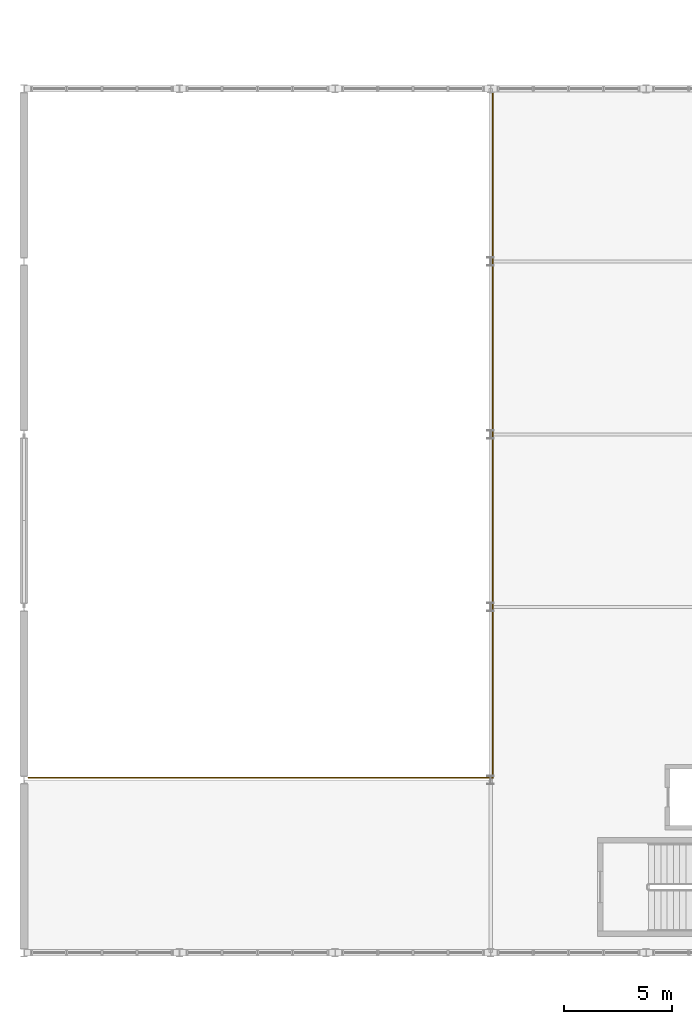
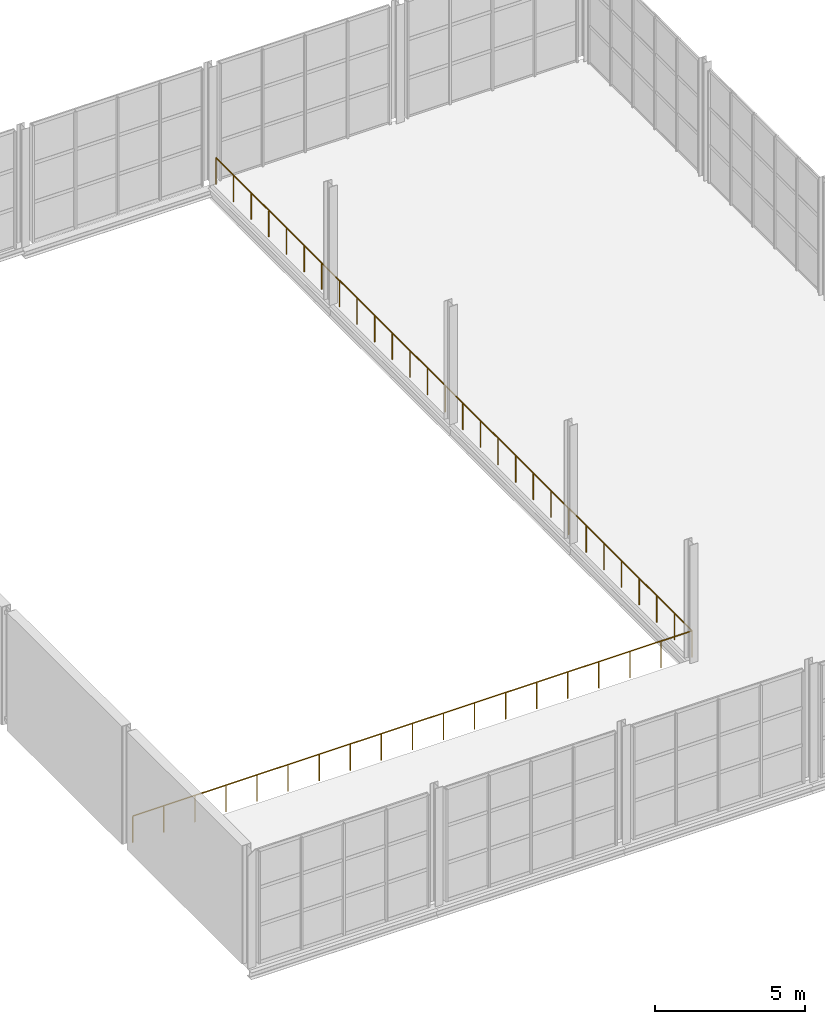
# One storey, part 135 of 143: 1 railing.
"""IFC4 building model written with IfcOpenShell, lengths in metres."""

from ifc_helpers import new_model, si_unit, derived_unit, direction, frame, origin, origin_2d, place, context, subcontext, project, spatial, circle, extrude, material, type_object, element, save


model = new_model("IFC4")

# Units and contexts
model_context = context("Model", 3, precision=1e-05, world=origin(), true_north=direction((0.0, 1.0)))
body_context = subcontext(model_context, "Body", "Model", "MODEL_VIEW")
ifc_project = project(units=[si_unit("LENGTHUNIT", "METRE"), si_unit("AREAUNIT", "SQUARE_METRE"), si_unit("VOLUMEUNIT", "CUBIC_METRE"), si_unit("PLANEANGLEUNIT", "RADIAN"), si_unit("MASSUNIT", "GRAM", prefix="KILO"), derived_unit("THERMALTRANSMITTANCEUNIT", [(si_unit("POWERUNIT", "WATT"), 1), (si_unit("LENGTHUNIT", "METRE"), -2), (si_unit("THERMODYNAMICTEMPERATUREUNIT", "KELVIN"), -1)])], contexts=[model_context])

# Site, building, storey
site_placement = place(None, origin())
site = spatial("IfcSite", under=ifc_project, at=site_placement, CompositionType="ELEMENT")
building_placement = place(site_placement, origin())
building = spatial("IfcBuilding", under=site, at=building_placement, Name="Keldorne Ridge Multi-Sports Centre", CompositionType="ELEMENT")
storey_placement = place(building_placement, frame((0.0, 0.0, 4.800048828125)))
storey = spatial("IfcBuildingStorey", under=building, at=storey_placement, Name="L01", CompositionType="ELEMENT", Elevation=4.800048828125)

# Railing
ifc_material = material(Name="Laminated glass and stainless steel", Category="steel")
railing_type = type_object("IfcRailingType", Name="RLG-BL-01", PredefinedType="BALUSTRADE", material=ifc_material)
railing_placement = place(storey_placement, frame((6.199951171875, 82.10009765625, 0.0)))
element("IfcRailing", 1, at=railing_placement, inside=storey, type_object=railing_type, Name="Safety balustrade RLG-V3-L01", PredefinedType="BALUSTRADE", context=body_context, shape_type="SweptSolid", body=[
    extrude(circle(Radius=0.02392578125, at=origin_2d()), frame((0.0, 0.0, 1.076171875), z_axis=(1.0, 0.0, 0.0), x_axis=(0.0, 1.0, 0.0)), (0.0, 0.0, 1.0), 21.5),
    extrude(circle(Radius=0.02392578125, at=origin_2d()), frame((21.5, 0.0, 1.076171875), z_axis=(0.0, 1.0, 0.0), x_axis=(-1.0, 0.0, 0.0)), (0.0, 0.0, 1.0), 31.699951171875),
    extrude(circle(Radius=0.02099609375, at=origin_2d()), origin(), (0.0, 0.0, 1.0), 1.052001953125),
    extrude(circle(Radius=0.02099609375, at=origin_2d()), frame((1.1943359375, 0.0, 0.0)), (0.0, 0.0, 1.0), 1.052001953125),
    extrude(circle(Radius=0.02099609375, at=origin_2d()), frame((2.388916015625, 0.0, 0.0)), (0.0, 0.0, 1.0), 1.052001953125),
    extrude(circle(Radius=0.02099609375, at=origin_2d()), frame((3.583251953125, 0.0, 0.0)), (0.0, 0.0, 1.0), 1.052001953125),
    extrude(circle(Radius=0.02099609375, at=origin_2d()), frame((4.77783203125, 0.0, 0.0)), (0.0, 0.0, 1.0), 1.052001953125),
    extrude(circle(Radius=0.02099609375, at=origin_2d()), frame((5.97216796875, 0.0, 0.0)), (0.0, 0.0, 1.0), 1.052001953125),
    extrude(circle(Radius=0.02099609375, at=origin_2d()), frame((7.166748046875, 0.0, 0.0)), (0.0, 0.0, 1.0), 1.052001953125),
    extrude(circle(Radius=0.02099609375, at=origin_2d()), frame((8.361083984375, 0.0, 0.0)), (0.0, 0.0, 1.0), 1.052001953125),
    extrude(circle(Radius=0.02099609375, at=origin_2d()), frame((9.5556640625, 0.0, 0.0)), (0.0, 0.0, 1.0), 1.052001953125),
    extrude(circle(Radius=0.02099609375, at=origin_2d()), frame((10.75, 0.0, 0.0)), (0.0, 0.0, 1.0), 1.052001953125),
    extrude(circle(Radius=0.02099609375, at=origin_2d()), frame((11.9443359375, 0.0, 0.0)), (0.0, 0.0, 1.0), 1.052001953125),
    extrude(circle(Radius=0.02099609375, at=origin_2d()), frame((13.138916015625, 0.0, 0.0)), (0.0, 0.0, 1.0), 1.052001953125),
    extrude(circle(Radius=0.02099609375, at=origin_2d()), frame((14.333251953125, 0.0, 0.0)), (0.0, 0.0, 1.0), 1.052001953125),
    extrude(circle(Radius=0.02099609375, at=origin_2d()), frame((15.52783203125, 0.0, 0.0)), (0.0, 0.0, 1.0), 1.052001953125),
    extrude(circle(Radius=0.02099609375, at=origin_2d()), frame((16.72216796875, 0.0, 0.0)), (0.0, 0.0, 1.0), 1.052001953125),
    extrude(circle(Radius=0.02099609375, at=origin_2d()), frame((17.916748046875, 0.0, 0.0)), (0.0, 0.0, 1.0), 1.052001953125),
    extrude(circle(Radius=0.02099609375, at=origin_2d()), frame((19.111083984375, 0.0, 0.0)), (0.0, 0.0, 1.0), 1.052001953125),
    extrude(circle(Radius=0.02099609375, at=origin_2d()), frame((20.3056640625, 0.0, 0.0)), (0.0, 0.0, 1.0), 1.052001953125),
    extrude(circle(Radius=0.02099609375, at=origin_2d()), frame((21.5, 0.0, 0.0)), (0.0, 0.0, 1.0), 1.052001953125),
    extrude(circle(Radius=0.02099609375, at=origin_2d()), frame((21.5, 1.174072265625, 0.0)), (0.0, 0.0, 1.0), 1.052001953125),
    extrude(circle(Radius=0.02099609375, at=origin_2d()), frame((21.5, 2.34814453125, 0.0)), (0.0, 0.0, 1.0), 1.052001953125),
    extrude(circle(Radius=0.02099609375, at=origin_2d()), frame((21.5, 3.522216796875, 0.0)), (0.0, 0.0, 1.0), 1.052001953125),
    extrude(circle(Radius=0.02099609375, at=origin_2d()), frame((21.5, 4.6962890625, 0.0)), (0.0, 0.0, 1.0), 1.052001953125),
    extrude(circle(Radius=0.02099609375, at=origin_2d()), frame((21.5, 5.870361328125, 0.0)), (0.0, 0.0, 1.0), 1.052001953125),
    extrude(circle(Radius=0.02099609375, at=origin_2d()), frame((21.5, 7.04443359375, 0.0)), (0.0, 0.0, 1.0), 1.052001953125),
    extrude(circle(Radius=0.02099609375, at=origin_2d()), frame((21.5, 8.218505859375, 0.0)), (0.0, 0.0, 1.0), 1.052001953125),
    extrude(circle(Radius=0.02099609375, at=origin_2d()), frame((21.5, 9.392578125, 0.0)), (0.0, 0.0, 1.0), 1.052001953125),
    extrude(circle(Radius=0.02099609375, at=origin_2d()), frame((21.5, 10.566650390625, 0.0)), (0.0, 0.0, 1.0), 1.052001953125),
    extrude(circle(Radius=0.02099609375, at=origin_2d()), frame((21.5, 11.74072265625, 0.0)), (0.0, 0.0, 1.0), 1.052001953125),
    extrude(circle(Radius=0.02099609375, at=origin_2d()), frame((21.5, 12.914794921875, 0.0)), (0.0, 0.0, 1.0), 1.052001953125),
    extrude(circle(Radius=0.02099609375, at=origin_2d()), frame((21.5, 14.0888671875, 0.0)), (0.0, 0.0, 1.0), 1.052001953125),
    extrude(circle(Radius=0.02099609375, at=origin_2d()), frame((21.5, 15.262939453125, 0.0)), (0.0, 0.0, 1.0), 1.052001953125),
    extrude(circle(Radius=0.02099609375, at=origin_2d()), frame((21.5, 16.43701171875, 0.0)), (0.0, 0.0, 1.0), 1.052001953125),
    extrude(circle(Radius=0.02099609375, at=origin_2d()), frame((21.5, 17.611083984375, 0.0)), (0.0, 0.0, 1.0), 1.052001953125),
    extrude(circle(Radius=0.02099609375, at=origin_2d()), frame((21.5, 18.78515625, 0.0)), (0.0, 0.0, 1.0), 1.052001953125),
    extrude(circle(Radius=0.02099609375, at=origin_2d()), frame((21.5, 19.959228515625, 0.0)), (0.0, 0.0, 1.0), 1.052001953125),
    extrude(circle(Radius=0.02099609375, at=origin_2d()), frame((21.5, 21.13330078125, 0.0)), (0.0, 0.0, 1.0), 1.052001953125),
    extrude(circle(Radius=0.02099609375, at=origin_2d()), frame((21.5, 22.307373046875, 0.0)), (0.0, 0.0, 1.0), 1.052001953125),
    extrude(circle(Radius=0.02099609375, at=origin_2d()), frame((21.5, 23.4814453125, 0.0)), (0.0, 0.0, 1.0), 1.052001953125),
    extrude(circle(Radius=0.02099609375, at=origin_2d()), frame((21.5, 24.655517578125, 0.0)), (0.0, 0.0, 1.0), 1.052001953125),
    extrude(circle(Radius=0.02099609375, at=origin_2d()), frame((21.5, 25.82958984375, 0.0)), (0.0, 0.0, 1.0), 1.052001953125),
    extrude(circle(Radius=0.02099609375, at=origin_2d()), frame((21.5, 27.003662109375, 0.0)), (0.0, 0.0, 1.0), 1.052001953125),
    extrude(circle(Radius=0.02099609375, at=origin_2d()), frame((21.5, 28.177734375, 0.0)), (0.0, 0.0, 1.0), 1.052001953125),
    extrude(circle(Radius=0.02099609375, at=origin_2d()), frame((21.5, 29.351806640625, 0.0)), (0.0, 0.0, 1.0), 1.052001953125),
    extrude(circle(Radius=0.02099609375, at=origin_2d()), frame((21.5, 30.52587890625, 0.0)), (0.0, 0.0, 1.0), 1.052001953125),
    extrude(circle(Radius=0.02099609375, at=origin_2d()), frame((21.5, 31.699951171875, 0.0)), (0.0, 0.0, 1.0), 1.052001953125),
])

save(model, "model.ifc")
